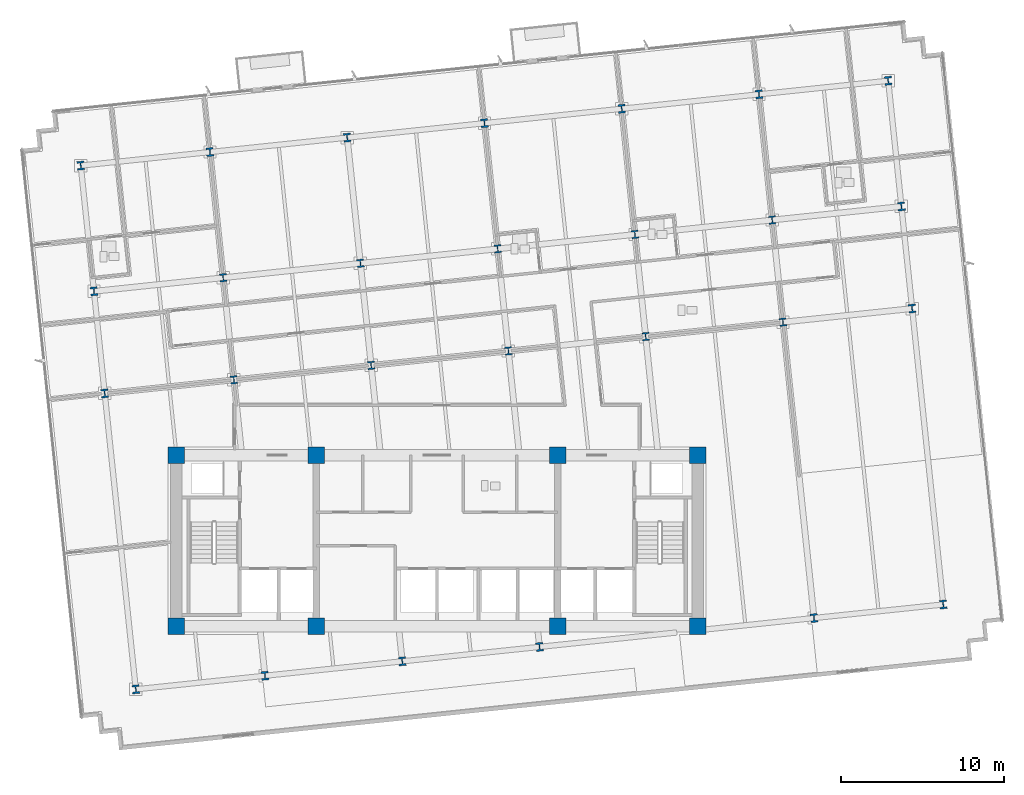
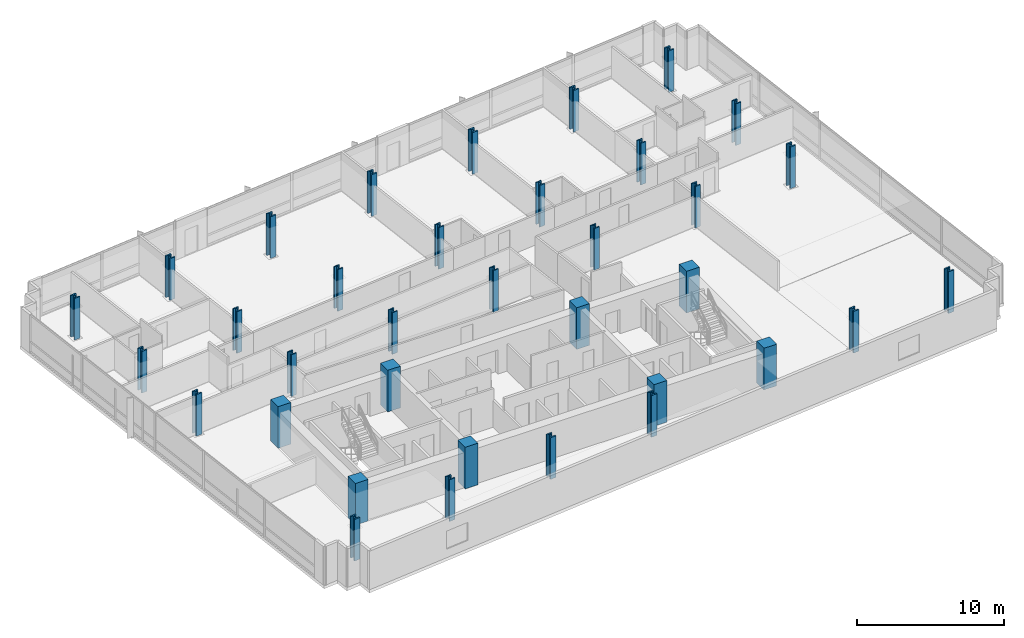
# One storey, part 1 of 18: 35 columns.
"""IFC4 building model written with IfcOpenShell, lengths in metres."""

from ifc_helpers import new_model, si_unit, direction, frame, origin, origin_2d, place, context, subcontext, project, spatial, rectangle, i_section, extrude, material, material_profile, profile_set, type_object, element, save


model = new_model("IFC4")

# Units and contexts
model_context = context("Model", 3, precision=1e-05, world=origin(), true_north=direction((0.0, 1.0)))
body_context = subcontext(model_context, "Body", "Model", "MODEL_VIEW")
ifc_project = project(units=[si_unit("LENGTHUNIT", "METRE"), si_unit("AREAUNIT", "SQUARE_METRE"), si_unit("VOLUMEUNIT", "CUBIC_METRE"), si_unit("PLANEANGLEUNIT", "RADIAN"), si_unit("MASSUNIT", "GRAM", prefix="KILO")], contexts=[model_context])

# Site, building, storey
site_placement = place(None, origin())
site = spatial("IfcSite", under=ifc_project, at=site_placement, CompositionType="ELEMENT")
building_placement = place(site_placement, origin())
building = spatial("IfcBuilding", under=site, at=building_placement, Name="Solmavex Isthmus Hotel", CompositionType="ELEMENT")
storey_placement = place(building_placement, frame((0.0, 0.0, 123.60009765625)))
storey = spatial("IfcBuildingStorey", under=building, at=storey_placement, Name="L33", CompositionType="ELEMENT", Elevation=123.60009765625)

# Columns
ifc_material_1 = material(Name="Concrete C60/75", Category="concrete")
ifc_material_profile_1 = material_profile(ifc_material_1, rectangle(XDim=1.0, YDim=1.0, at=origin_2d()), Name="RC1000X1000")
ifc_profile_set_1 = profile_set([ifc_material_profile_1], Name="Concrete C60/75")
column_type_1 = type_object("IfcColumnType", Name="COL-CC-1000", PredefinedType="COLUMN", material=ifc_profile_set_1)
for number, where, z_axis, x_axis, name in (
    (1, (-16.0, -13.0, 0.0), (0.0, 0.0, 1.0), (1.0, 0.0, 0.0), "Core Pilaster CC-SW L33"),
    (2, (-7.39990234375, -13.0, 0.0), (0.0, 0.0, 1.0), (1.0, 0.0, 0.0), "Core Pilaster CC-S1 L33"),
    (3, (7.39990234375, -13.0, 0.0), (0.0, 0.0, 1.0), (1.0, 0.0, 0.0), "Core Pilaster CC-S2 L33"),
    (4, (16.0, -13.0, 0.0), (0.0, 0.0, 1.0), (1.0, 0.0, 0.0), "Core Pilaster CC-SE L33"),
    (5, (-16.0, -2.5, 0.0), (0.0, 0.0, 1.0), (1.0, 0.0, 0.0), "Core Pilaster CC-NW L33"),
    (6, (-7.39990234375, -2.5, 0.0), (0.0, 0.0, 1.0), (1.0, 0.0, 0.0), "Core Pilaster CC-N1 L33"),
    (7, (7.39990234375, -2.5, 0.0), (0.0, 0.0, 1.0), (1.0, 0.0, 0.0), "Core Pilaster CC-N2 L33"),
    (8, (16.0, -2.5, 0.0), (0.0, 0.0, 1.0), (1.0, 0.0, 0.0), "Core Pilaster CC-NE L33"),
):
    element("IfcColumn", number, at=place(storey_placement, frame(where, z_axis=z_axis, x_axis=x_axis)), inside=storey, type_object=column_type_1, Name=name, PredefinedType="COLUMN", context=body_context, shape_type="SweptSolid", body=[
        extrude(rectangle(XDim=1.0, YDim=1.0, at=origin_2d()), origin(), (0.0, 0.0, 1.0), 3.449951171875),
    ])
ifc_material_2 = material(Name="Steel ASTM A913 Grade 65", Category="steel")
ifc_material_profile_2 = material_profile(ifc_material_2, i_section(OverallWidth=0.43212890625, OverallDepth=0.497802734375, WebThickness=0.0556640625, FlangeThickness=0.0888671875, FilletRadius=0.030517578125, at=origin_2d()), Name="W14X500")
ifc_profile_set_2 = profile_set([ifc_material_profile_2], Name="Steel ASTM A913 Grade 65")
column_type_2 = type_object("IfcColumnType", Name="COL-SC-W14X500", PredefinedType="COLUMN", material=ifc_profile_set_2)
for number, where, z_axis, x_axis, name in (
    (9, (-12.458740234375, 2.11865234375, 0.0), (0.0, 0.0, 1.0), (0.994521895368, 0.104528463268, 0.0), "Tower Column B2-U2V2 L33"),
    (10, (-13.1171875, 8.382080078125, 0.0), (0.0, 0.0, 1.0), (0.994521895368, 0.104528463268, 0.0), "Tower Column B2-U2V3 L33"),
    (11, (-4.0390625, 3.003662109375, 0.0), (0.0, 0.0, 1.0), (0.994521895368, 0.104528463268, 0.0), "Tower Column B2-U3V2 L33"),
    (12, (-4.697509765625, 9.26708984375, 0.0), (0.0, 0.0, 1.0), (0.994521895368, 0.104528463268, 0.0), "Tower Column B2-U3V3 L33"),
    (13, (4.38037109375, 3.888427734375, 0.0), (0.0, 0.0, 1.0), (0.994521895368, 0.104528463268, 0.0), "Tower Column B2-U4V2 L33"),
    (14, (3.72216796875, 10.152099609375, 0.0), (0.0, 0.0, 1.0), (0.994521895368, 0.104528463268, 0.0), "Tower Column B2-U4V3 L33"),
    (15, (12.800048828125, 4.7734375, 0.0), (0.0, 0.0, 1.0), (0.994521895368, 0.104528463268, 0.0), "Tower Column B2-U5V2 L33"),
    (16, (12.141845703125, 11.036865234375, 0.0), (0.0, 0.0, 1.0), (0.994521895368, 0.104528463268, 0.0), "Tower Column B2-U5V3 L33"),
    (17, (21.2197265625, 5.658447265625, 0.0), (0.0, 0.0, 1.0), (0.994521895368, 0.104528463268, 0.0), "Tower Column B2-U6V2 L33"),
    (18, (20.5615234375, 11.921875, 0.0), (0.0, 0.0, 1.0), (0.994521895368, 0.104528463268, 0.0), "Tower Column B2-U6V3 L33"),
):
    element("IfcColumn", number, at=place(storey_placement, frame(where, z_axis=z_axis, x_axis=x_axis)), inside=storey, type_object=column_type_2, Name=name, PredefinedType="COLUMN", context=body_context, shape_type="SweptSolid", body=[
        extrude(i_section(OverallWidth=0.43212890625, OverallDepth=0.497802734375, WebThickness=0.0556640625, FlangeThickness=0.0888671875, FilletRadius=0.030517578125, at=origin_2d()), origin(), (0.0, 0.0, 1.0), 3.449951171875),
    ])
ifc_material_profile_3 = material_profile(ifc_material_2, i_section(OverallWidth=0.442138671875, OverallDepth=0.531494140625, WebThickness=0.06591796875, FlangeThickness=0.105712890625, FilletRadius=0.030517578125, at=origin_2d()), Name="W14X605")
ifc_profile_set_3 = profile_set([ifc_material_profile_3], Name="Steel ASTM A913 Grade 65")
column_type_3 = type_object("IfcColumnType", Name="COL-SC-W14X605", PredefinedType="COLUMN", material=ifc_profile_set_3)
for number, where, z_axis, x_axis, name in (
    (19, (-18.475341796875, -16.8642578125, 0.0), (0.0, 0.0, 1.0), (0.994521895368, 0.104528463268, 0.0), "Tower Column B2-U1V1 L33"),
    (20, (-20.383056640625, 1.28564453125, 0.0), (0.0, 0.0, 1.0), (0.994521895368, 0.104528463268, 0.0), "Tower Column B2-U1V2 L33"),
    (21, (-21.04150390625, 7.54931640625, 0.0), (0.0, 0.0, 1.0), (0.994521895368, 0.104528463268, 0.0), "Tower Column B2-U1V3 L33"),
    (22, (-21.851806640625, 15.2587890625, 0.0), (0.0, 0.0, 1.0), (0.994521895368, 0.104528463268, 0.0), "Tower Column B2-U1V4 L33"),
    (23, (-10.551025390625, -16.031494140625, 0.0), (0.0, 0.0, 1.0), (0.994521895368, 0.104528463268, 0.0), "Tower Column B2-U2V1 L33"),
    (24, (-13.927490234375, 16.091552734375, 0.0), (0.0, 0.0, 1.0), (0.994521895368, 0.104528463268, 0.0), "Tower Column B2-U2V4 L33"),
    (25, (-2.131591796875, -15.146484375, 0.0), (0.0, 0.0, 1.0), (0.994521895368, 0.104528463268, 0.0), "Tower Column B2-U3V1 L33"),
    (26, (-5.5078125, 16.9765625, 0.0), (0.0, 0.0, 1.0), (0.994521895368, 0.104528463268, 0.0), "Tower Column B2-U3V4 L33"),
    (27, (6.2880859375, -14.261474609375, 0.0), (0.0, 0.0, 1.0), (0.994521895368, 0.104528463268, 0.0), "Tower Column B2-U4V1 L33"),
    (28, (2.911865234375, 17.861572265625, 0.0), (0.0, 0.0, 1.0), (0.994521895368, 0.104528463268, 0.0), "Tower Column B2-U4V4 L33"),
    (29, (11.33154296875, 18.74658203125, 0.0), (0.0, 0.0, 1.0), (0.994521895368, 0.104528463268, 0.0), "Tower Column B2-U5V4 L33"),
    (30, (23.12744140625, -12.49169921875, 0.0), (0.0, 0.0, 1.0), (0.994521895368, 0.104528463268, 0.0), "Tower Column B2-U6V1 L33"),
    (31, (19.751220703125, 19.63134765625, 0.0), (0.0, 0.0, 1.0), (0.994521895368, 0.104528463268, 0.0), "Tower Column B2-U6V4 L33"),
    (32, (31.0517578125, -11.65869140625, 0.0), (0.0, 0.0, 1.0), (0.994521895368, 0.104528463268, 0.0), "Tower Column B2-U7V1 L33"),
    (33, (29.14404296875, 6.4912109375, 0.0), (0.0, 0.0, 1.0), (0.994521895368, 0.104528463268, 0.0), "Tower Column B2-U7V2 L33"),
    (34, (28.48583984375, 12.754638671875, 0.0), (0.0, 0.0, 1.0), (0.994521895368, 0.104528463268, 0.0), "Tower Column B2-U7V3 L33"),
    (35, (27.675537109375, 20.46435546875, 0.0), (0.0, 0.0, 1.0), (0.994521895368, 0.104528463268, 0.0), "Tower Column B2-U7V4 L33"),
):
    element("IfcColumn", number, at=place(storey_placement, frame(where, z_axis=z_axis, x_axis=x_axis)), inside=storey, type_object=column_type_3, Name=name, PredefinedType="COLUMN", context=body_context, shape_type="SweptSolid", body=[
        extrude(i_section(OverallWidth=0.442138671875, OverallDepth=0.531494140625, WebThickness=0.06591796875, FlangeThickness=0.105712890625, FilletRadius=0.030517578125, at=origin_2d()), origin(), (0.0, 0.0, 1.0), 3.449951171875),
    ])

save(model, "model.ifc")
